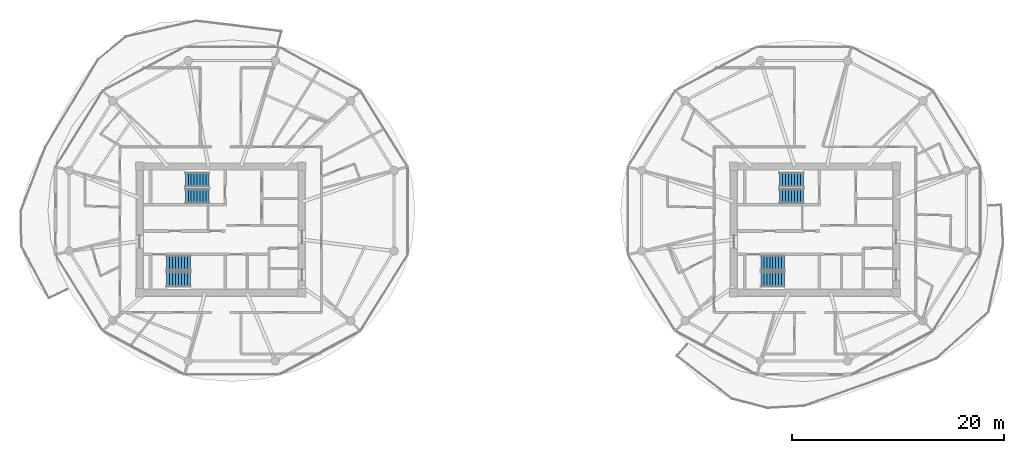
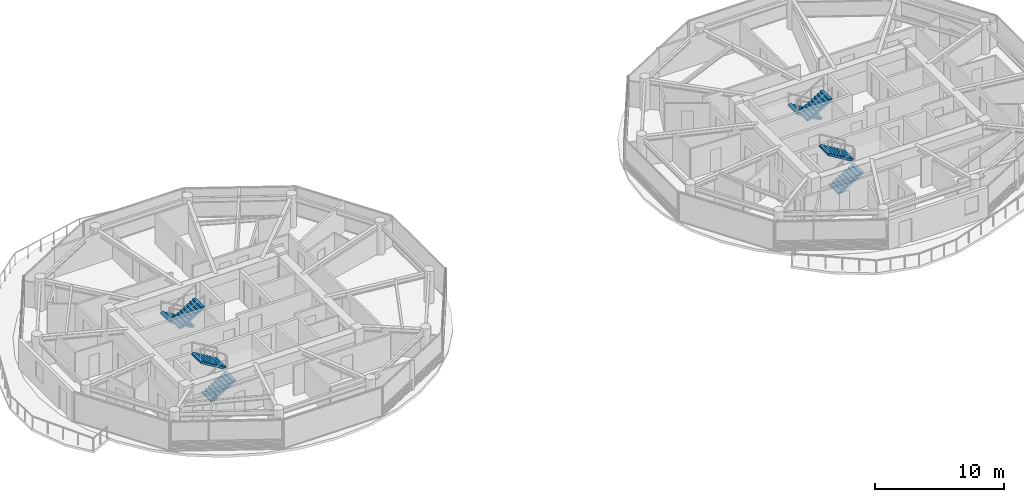
# One storey, part 18 of 22: 8 stair flights, 4 elements without a shape of their own.
"""IFC4 building model written with IfcOpenShell, lengths in metres."""

from ifc_helpers import new_model, si_unit, direction, frame, origin, place, context, subcontext, project, spatial, polyline, outline, extrude, material, type_object, element, aggregate, save


model = new_model("IFC4")

# Units and contexts
model_context = context("Model", 3, precision=1e-05, world=origin(), true_north=direction((0.0, 1.0)))
body_context = subcontext(model_context, "Body", "Model", "MODEL_VIEW")
ifc_project = project(units=[si_unit("LENGTHUNIT", "METRE"), si_unit("AREAUNIT", "SQUARE_METRE"), si_unit("VOLUMEUNIT", "CUBIC_METRE"), si_unit("PLANEANGLEUNIT", "RADIAN"), si_unit("MASSUNIT", "GRAM", prefix="KILO")], contexts=[model_context])

# Site, building, storey
site_placement = place(None, origin())
site = spatial("IfcSite", under=ifc_project, at=site_placement, CompositionType="ELEMENT")
building_placement = place(site_placement, origin())
building = spatial("IfcBuilding", under=site, at=building_placement, Name="Norrkilde Senior Care Towers", CompositionType="ELEMENT")
storey_placement = place(building_placement, frame((0.0, 0.0, 152.60009765625)))
storey = spatial("IfcBuildingStorey", under=building, at=storey_placement, Name="L47", CompositionType="ELEMENT", Elevation=152.60009765625)

# Stair, stair flights
ifc_material = material(Name="Concrete C45/55", Category="concrete")
stair_type = type_object("IfcStairType", Name="Core Protected Dogleg Stair Typical 3050", PredefinedType="HALF_TURN_STAIR", material=ifc_material)
stair_1_placement = place(storey_placement, origin())
stair_1 = element("IfcStair", 1, at=stair_1_placement, inside=storey, type_object=stair_type, Name="L47 Protected Core Stair W1", PredefinedType="HALF_TURN_STAIR")
stair_flight_type = type_object("IfcStairFlightType", Name="Core Protected Dogleg Stair Typical 3050 Flight", PredefinedType="STRAIGHT", material=ifc_material)
stair_flight_1_placement = place(storey_placement, frame((-29.10009765625, 4.699951171875, 0.0), z_axis=(0.0, 0.0, 1.0), x_axis=(-1.0, 0.0, 0.0)))
stair_flight_1 = element("IfcStairFlight", 2, at=stair_flight_1_placement, type_object=stair_flight_type, Name="ST-W1 flight 1", NumberOfRisers=9, NumberOfTreads=8, PredefinedType="STRAIGHT", RiserHeight=0.169444444, TreadLength=0.28, context=body_context, shape_type="SweptSolid", body=[
    extrude(outline(polyline([(0.0, 0.0), (0.0, 0.16943359375), (0.280029296875, 0.16943359375), (0.280029296875, 0.3388671875), (0.56005859375, 0.3388671875), (0.56005859375, 0.50830078125), (0.840087890625, 0.50830078125), (0.840087890625, 0.677734375), (1.1201171875, 0.677734375), (1.1201171875, 0.84716796875), (1.39990234375, 0.84716796875), (1.39990234375, 1.0166015625), (1.679931640625, 1.0166015625), (1.679931640625, 1.18603515625), (1.9599609375, 1.18603515625), (1.9599609375, 1.35546875), (2.239990234375, 1.35546875), (2.239990234375, 1.52490234375), (2.239990234375, 1.180419921875), (0.28955078125, 0.0), (0.0, 0.0)])), frame((0.0, 0.699951171875, 0.0), z_axis=(0.0, -1.0, 0.0), x_axis=(1.0, 0.0, 0.0)), (0.0, 0.0, 1.0), 1.39990234375),
])
stair_flight_2_placement = place(storey_placement, frame((-31.340087890625, 3.14990234375, 1.52490234375), z_axis=(0.0, 0.0, 1.0), x_axis=(1.0, 0.0, 0.0)))
stair_flight_2 = element("IfcStairFlight", 3, at=stair_flight_2_placement, type_object=stair_flight_type, Name="ST-W1 flight 2", NumberOfRisers=9, NumberOfTreads=8, PredefinedType="STRAIGHT", RiserHeight=0.169444444, TreadLength=0.28, context=body_context, shape_type="SweptSolid", body=[
    extrude(outline(polyline([(0.0, 0.0), (0.0, 0.16943359375), (0.280029296875, 0.16943359375), (0.280029296875, 0.3388671875), (0.56005859375, 0.3388671875), (0.56005859375, 0.50830078125), (0.840087890625, 0.50830078125), (0.840087890625, 0.677734375), (1.1201171875, 0.677734375), (1.1201171875, 0.84716796875), (1.39990234375, 0.84716796875), (1.39990234375, 1.0166015625), (1.679931640625, 1.0166015625), (1.679931640625, 1.18603515625), (1.9599609375, 1.18603515625), (1.9599609375, 1.35546875), (2.239990234375, 1.35546875), (2.239990234375, 1.52490234375), (2.239990234375, 1.180419921875), (0.28955078125, 0.0), (0.0, 0.0)])), frame((0.0, 0.699951171875, 0.0), z_axis=(0.0, -1.0, 0.0), x_axis=(1.0, 0.0, 0.0)), (0.0, 0.0, 1.0), 1.39990234375),
])
aggregate(stair_1, [stair_flight_1, stair_flight_2])

stair_2_placement = place(storey_placement, origin())
stair_2 = element("IfcStair", 4, at=stair_2_placement, inside=storey, type_object=stair_type, Name="L47 Protected Core Stair W2", PredefinedType="HALF_TURN_STAIR")
stair_flight_3_placement = place(storey_placement, frame((-33.10009765625, -4.699951171875, 0.0), z_axis=(0.0, 0.0, 1.0), x_axis=(1.0, 0.0, 0.0)))
stair_flight_3 = element("IfcStairFlight", 5, at=stair_flight_3_placement, type_object=stair_flight_type, Name="ST-W2 flight 1", NumberOfRisers=9, NumberOfTreads=8, PredefinedType="STRAIGHT", RiserHeight=0.169444444, TreadLength=0.28, context=body_context, shape_type="SweptSolid", body=[
    extrude(outline(polyline([(0.0, 0.0), (0.0, 0.16943359375), (0.280029296875, 0.16943359375), (0.280029296875, 0.3388671875), (0.56005859375, 0.3388671875), (0.56005859375, 0.50830078125), (0.840087890625, 0.50830078125), (0.840087890625, 0.677734375), (1.1201171875, 0.677734375), (1.1201171875, 0.84716796875), (1.39990234375, 0.84716796875), (1.39990234375, 1.0166015625), (1.679931640625, 1.0166015625), (1.679931640625, 1.18603515625), (1.9599609375, 1.18603515625), (1.9599609375, 1.35546875), (2.239990234375, 1.35546875), (2.239990234375, 1.52490234375), (2.239990234375, 1.180419921875), (0.28955078125, 0.0), (0.0, 0.0)])), frame((0.0, 0.699951171875, 0.0), z_axis=(0.0, -1.0, 0.0), x_axis=(1.0, 0.0, 0.0)), (0.0, 0.0, 1.0), 1.39990234375),
])
stair_flight_4_placement = place(storey_placement, frame((-30.860107421875, -3.14990234375, 1.52490234375), z_axis=(0.0, 0.0, 1.0), x_axis=(-1.0, 0.0, 0.0)))
stair_flight_4 = element("IfcStairFlight", 6, at=stair_flight_4_placement, type_object=stair_flight_type, Name="ST-W2 flight 2", NumberOfRisers=9, NumberOfTreads=8, PredefinedType="STRAIGHT", RiserHeight=0.169444444, TreadLength=0.28, context=body_context, shape_type="SweptSolid", body=[
    extrude(outline(polyline([(0.0, 0.0), (0.0, 0.16943359375), (0.280029296875, 0.16943359375), (0.280029296875, 0.3388671875), (0.56005859375, 0.3388671875), (0.56005859375, 0.50830078125), (0.840087890625, 0.50830078125), (0.840087890625, 0.677734375), (1.1201171875, 0.677734375), (1.1201171875, 0.84716796875), (1.39990234375, 0.84716796875), (1.39990234375, 1.0166015625), (1.679931640625, 1.0166015625), (1.679931640625, 1.18603515625), (1.9599609375, 1.18603515625), (1.9599609375, 1.35546875), (2.239990234375, 1.35546875), (2.239990234375, 1.52490234375), (2.239990234375, 1.180419921875), (0.28955078125, 0.0), (0.0, 0.0)])), frame((0.0, 0.699951171875, 0.0), z_axis=(0.0, -1.0, 0.0), x_axis=(1.0, 0.0, 0.0)), (0.0, 0.0, 1.0), 1.39990234375),
])
aggregate(stair_2, [stair_flight_3, stair_flight_4])

stair_3_placement = place(storey_placement, origin())
stair_3 = element("IfcStair", 7, at=stair_3_placement, inside=storey, type_object=stair_type, Name="L47 Protected Core Stair E1", PredefinedType="HALF_TURN_STAIR")
stair_flight_5_placement = place(storey_placement, frame((26.89990234375, 4.699951171875, 0.0), z_axis=(0.0, 0.0, 1.0), x_axis=(-1.0, 0.0, 0.0)))
stair_flight_5 = element("IfcStairFlight", 8, at=stair_flight_5_placement, type_object=stair_flight_type, Name="ST-E1 flight 1", NumberOfRisers=9, NumberOfTreads=8, PredefinedType="STRAIGHT", RiserHeight=0.169444444, TreadLength=0.28, context=body_context, shape_type="SweptSolid", body=[
    extrude(outline(polyline([(0.0, 0.0), (0.0, 0.16943359375), (0.280029296875, 0.16943359375), (0.280029296875, 0.3388671875), (0.56005859375, 0.3388671875), (0.56005859375, 0.50830078125), (0.840087890625, 0.50830078125), (0.840087890625, 0.677734375), (1.1201171875, 0.677734375), (1.1201171875, 0.84716796875), (1.39990234375, 0.84716796875), (1.39990234375, 1.0166015625), (1.679931640625, 1.0166015625), (1.679931640625, 1.18603515625), (1.9599609375, 1.18603515625), (1.9599609375, 1.35546875), (2.239990234375, 1.35546875), (2.239990234375, 1.52490234375), (2.239990234375, 1.180419921875), (0.28955078125, 0.0), (0.0, 0.0)])), frame((0.0, 0.699951171875, 0.0), z_axis=(0.0, -1.0, 0.0), x_axis=(1.0, 0.0, 0.0)), (0.0, 0.0, 1.0), 1.39990234375),
])
stair_flight_6_placement = place(storey_placement, frame((24.659912109375, 3.14990234375, 1.52490234375), z_axis=(0.0, 0.0, 1.0), x_axis=(1.0, 0.0, 0.0)))
stair_flight_6 = element("IfcStairFlight", 9, at=stair_flight_6_placement, type_object=stair_flight_type, Name="ST-E1 flight 2", NumberOfRisers=9, NumberOfTreads=8, PredefinedType="STRAIGHT", RiserHeight=0.169444444, TreadLength=0.28, context=body_context, shape_type="SweptSolid", body=[
    extrude(outline(polyline([(0.0, 0.0), (0.0, 0.16943359375), (0.280029296875, 0.16943359375), (0.280029296875, 0.3388671875), (0.56005859375, 0.3388671875), (0.56005859375, 0.50830078125), (0.840087890625, 0.50830078125), (0.840087890625, 0.677734375), (1.1201171875, 0.677734375), (1.1201171875, 0.84716796875), (1.39990234375, 0.84716796875), (1.39990234375, 1.0166015625), (1.679931640625, 1.0166015625), (1.679931640625, 1.18603515625), (1.9599609375, 1.18603515625), (1.9599609375, 1.35546875), (2.239990234375, 1.35546875), (2.239990234375, 1.52490234375), (2.239990234375, 1.180419921875), (0.28955078125, 0.0), (0.0, 0.0)])), frame((0.0, 0.699951171875, 0.0), z_axis=(0.0, -1.0, 0.0), x_axis=(1.0, 0.0, 0.0)), (0.0, 0.0, 1.0), 1.39990234375),
])
aggregate(stair_3, [stair_flight_5, stair_flight_6])

stair_4_placement = place(storey_placement, origin())
stair_4 = element("IfcStair", 10, at=stair_4_placement, inside=storey, type_object=stair_type, Name="L47 Protected Core Stair E2", PredefinedType="HALF_TURN_STAIR")
stair_flight_7_placement = place(storey_placement, frame((22.89990234375, -4.699951171875, 0.0), z_axis=(0.0, 0.0, 1.0), x_axis=(1.0, 0.0, 0.0)))
stair_flight_7 = element("IfcStairFlight", 11, at=stair_flight_7_placement, type_object=stair_flight_type, Name="ST-E2 flight 1", NumberOfRisers=9, NumberOfTreads=8, PredefinedType="STRAIGHT", RiserHeight=0.169444444, TreadLength=0.28, context=body_context, shape_type="SweptSolid", body=[
    extrude(outline(polyline([(0.0, 0.0), (0.0, 0.16943359375), (0.280029296875, 0.16943359375), (0.280029296875, 0.3388671875), (0.56005859375, 0.3388671875), (0.56005859375, 0.50830078125), (0.840087890625, 0.50830078125), (0.840087890625, 0.677734375), (1.1201171875, 0.677734375), (1.1201171875, 0.84716796875), (1.39990234375, 0.84716796875), (1.39990234375, 1.0166015625), (1.679931640625, 1.0166015625), (1.679931640625, 1.18603515625), (1.9599609375, 1.18603515625), (1.9599609375, 1.35546875), (2.239990234375, 1.35546875), (2.239990234375, 1.52490234375), (2.239990234375, 1.180419921875), (0.28955078125, 0.0), (0.0, 0.0)])), frame((0.0, 0.699951171875, 0.0), z_axis=(0.0, -1.0, 0.0), x_axis=(1.0, 0.0, 0.0)), (0.0, 0.0, 1.0), 1.39990234375),
])
stair_flight_8_placement = place(storey_placement, frame((25.139892578125, -3.14990234375, 1.52490234375), z_axis=(0.0, 0.0, 1.0), x_axis=(-1.0, 0.0, 0.0)))
stair_flight_8 = element("IfcStairFlight", 12, at=stair_flight_8_placement, type_object=stair_flight_type, Name="ST-E2 flight 2", NumberOfRisers=9, NumberOfTreads=8, PredefinedType="STRAIGHT", RiserHeight=0.169444444, TreadLength=0.28, context=body_context, shape_type="SweptSolid", body=[
    extrude(outline(polyline([(0.0, 0.0), (0.0, 0.16943359375), (0.280029296875, 0.16943359375), (0.280029296875, 0.3388671875), (0.56005859375, 0.3388671875), (0.56005859375, 0.50830078125), (0.840087890625, 0.50830078125), (0.840087890625, 0.677734375), (1.1201171875, 0.677734375), (1.1201171875, 0.84716796875), (1.39990234375, 0.84716796875), (1.39990234375, 1.0166015625), (1.679931640625, 1.0166015625), (1.679931640625, 1.18603515625), (1.9599609375, 1.18603515625), (1.9599609375, 1.35546875), (2.239990234375, 1.35546875), (2.239990234375, 1.52490234375), (2.239990234375, 1.180419921875), (0.28955078125, 0.0), (0.0, 0.0)])), frame((0.0, 0.699951171875, 0.0), z_axis=(0.0, -1.0, 0.0), x_axis=(1.0, 0.0, 0.0)), (0.0, 0.0, 1.0), 1.39990234375),
])
aggregate(stair_4, [stair_flight_7, stair_flight_8])

save(model, "model.ifc")
